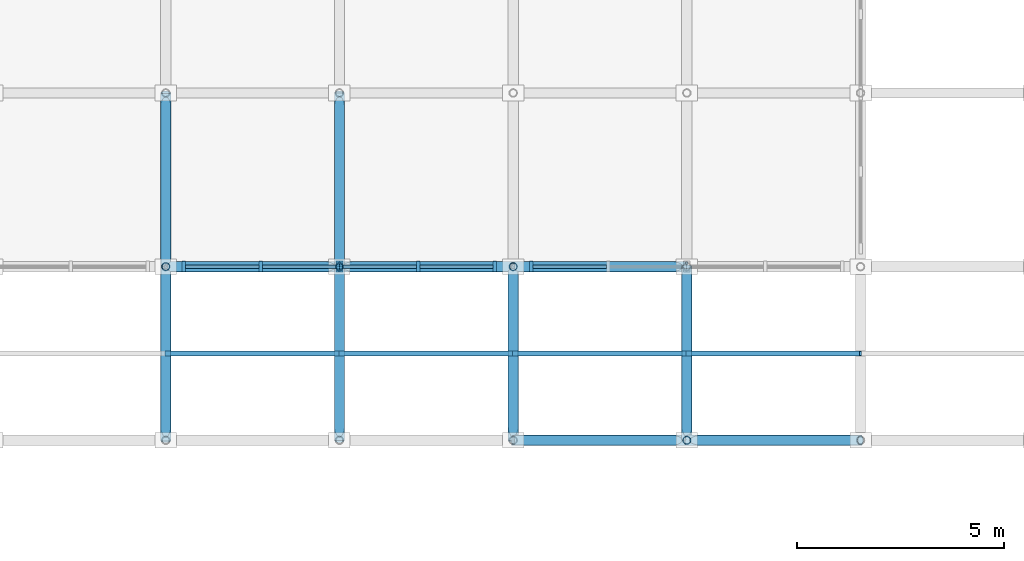
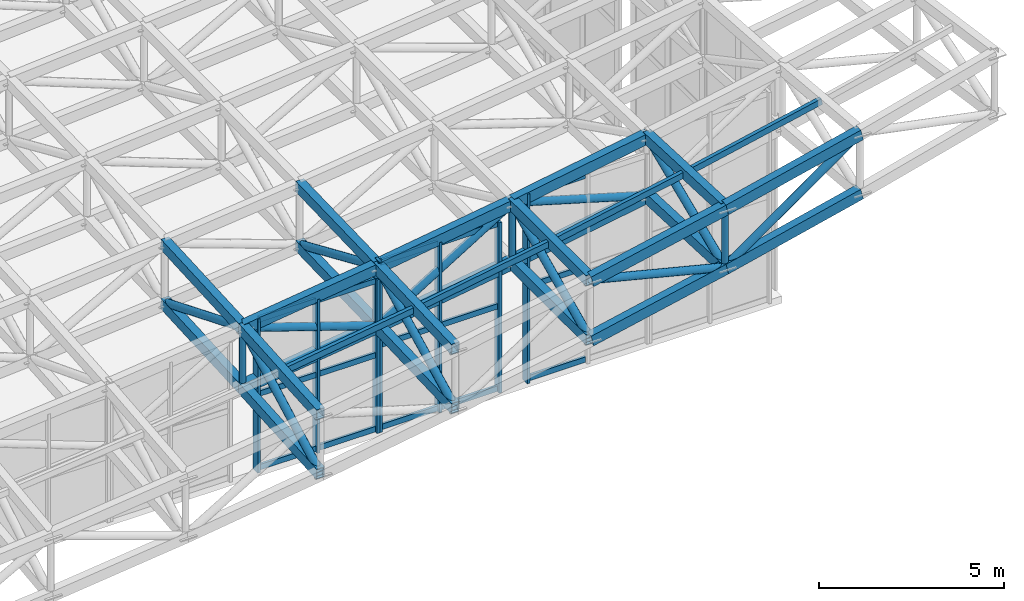
# One storey, part 46 of 111: 63 members, 3 elements without a shape of their own.
"""IFC4 building model written with IfcOpenShell, lengths in metres."""

from ifc_helpers import new_model, si_unit, direction, frame, origin, origin_2d, place, context, subcontext, project, spatial, rectangle, hollow_rectangle, hollow_circle, extrude, material, material_profile, profile_set, type_object, element, aggregate, save


model = new_model("IFC4")

# Units and contexts
model_context = context("Model", 3, precision=1e-05, world=origin(), true_north=direction((0.0, 1.0)))
body_context = subcontext(model_context, "Body", "Model", "MODEL_VIEW")
ifc_project = project(units=[si_unit("LENGTHUNIT", "METRE"), si_unit("AREAUNIT", "SQUARE_METRE"), si_unit("VOLUMEUNIT", "CUBIC_METRE"), si_unit("PLANEANGLEUNIT", "RADIAN"), si_unit("MASSUNIT", "GRAM", prefix="KILO")], contexts=[model_context])

# Site, building, storey
site_placement = place(None, origin())
site = spatial("IfcSite", under=ifc_project, at=site_placement, CompositionType="ELEMENT")
building_placement = place(site_placement, origin())
building = spatial("IfcBuilding", under=site, at=building_placement, Name="Cumbredor Promenade Congress Hotel", CompositionType="ELEMENT")
storey_placement = place(building_placement, frame((0.0, 0.0, 15.1201171875)))
storey = spatial("IfcBuildingStorey", under=building, at=storey_placement, Name="L04", CompositionType="ELEMENT", Elevation=15.1201171875)

# Curtain wall, members
ifc_material_1 = material(Name="Thermally broken anodized aluminium and low-E glass", Category="aluminium")
curtain_wall_type = type_object("IfcCurtainWallType", Name="Stepped Pavilion Clerestory Curtain Wall CW-06", PredefinedType="NOTDEFINED", material=ifc_material_1)
curtain_wall_1_placement = place(storey_placement, origin())
curtain_wall_1 = element("IfcCurtainWall", 1, at=curtain_wall_1_placement, inside=storey, type_object=curtain_wall_type, Name="Pre-Function and Breakout Meeting Forum S Glazed Clerestory 17", PredefinedType="NOTDEFINED")
ifc_material_2 = material(Name="Thermally broken anodized aluminium", Category="aluminium")
ifc_material_profile_1 = material_profile(ifc_material_2, rectangle(XDim=0.0849609375, YDim=0.260009765625, at=origin_2d()), Name="ALU MULLION CLERESTORY 85x260")
ifc_profile_set_1 = profile_set([ifc_material_profile_1], Name="Thermally broken anodized aluminium")
member_type_1 = type_object("IfcMemberType", Name="Curtain Wall Mullion ML-04", PredefinedType="MULLION", material=ifc_profile_set_1)
member_1_placement = place(storey_placement, frame((160.0400390625, 84.0, -0.01806640625), z_axis=(0.0, 0.0, 1.0), x_axis=(1.0, 0.0, 0.0)))
member_1 = element("IfcMember", 2, at=member_1_placement, type_object=member_type_1, Name="Pre-Function and Breakout Meeting Forum S Glazed Clerestory 17 Mullion 1", PredefinedType="MULLION", context=body_context, shape_type="SweptSolid", body=[
    extrude(rectangle(XDim=0.0849609375, YDim=0.260009765625, at=origin_2d()), origin(), (0.0, 0.0, 1.0), 5.064453125),
])
member_2_placement = place(storey_placement, frame((161.89990234375, 84.0, -0.01806640625), z_axis=(0.0, 0.0, 1.0), x_axis=(1.0, 0.0, 0.0)))
member_2 = element("IfcMember", 3, at=member_2_placement, type_object=member_type_1, Name="Pre-Function and Breakout Meeting Forum S Glazed Clerestory 17 Mullion 2", PredefinedType="MULLION", context=body_context, shape_type="SweptSolid", body=[
    extrude(rectangle(XDim=0.0849609375, YDim=0.260009765625, at=origin_2d()), origin(), (0.0, 0.0, 1.0), 5.064453125),
])
member_3_placement = place(storey_placement, frame((163.760009765625, 84.0, -0.01806640625), z_axis=(0.0, 0.0, 1.0), x_axis=(1.0, 0.0, 0.0)))
member_3 = element("IfcMember", 4, at=member_3_placement, type_object=member_type_1, Name="Pre-Function and Breakout Meeting Forum S Glazed Clerestory 17 Mullion 3", PredefinedType="MULLION", context=body_context, shape_type="SweptSolid", body=[
    extrude(rectangle(XDim=0.0849609375, YDim=0.260009765625, at=origin_2d()), origin(), (0.0, 0.0, 1.0), 5.064453125),
])

curtain_wall_2_placement = place(storey_placement, origin())
curtain_wall_2 = element("IfcCurtainWall", 5, at=curtain_wall_2_placement, inside=storey, type_object=curtain_wall_type, Name="Pre-Function and Breakout Meeting Forum S Glazed Clerestory 18", PredefinedType="NOTDEFINED")
member_4_placement = place(storey_placement, frame((163.840087890625, 84.0, -0.01806640625), z_axis=(0.0, 0.0, 1.0), x_axis=(1.0, 0.0, 0.0)))
member_4 = element("IfcMember", 6, at=member_4_placement, type_object=member_type_1, Name="Pre-Function and Breakout Meeting Forum S Glazed Clerestory 18 Mullion 1", PredefinedType="MULLION", context=body_context, shape_type="SweptSolid", body=[
    extrude(rectangle(XDim=0.0849609375, YDim=0.260009765625, at=origin_2d()), origin(), (0.0, 0.0, 1.0), 5.6123046875),
])
member_5_placement = place(storey_placement, frame((165.699951171875, 84.0, -0.01806640625), z_axis=(0.0, 0.0, 1.0), x_axis=(1.0, 0.0, 0.0)))
member_5 = element("IfcMember", 7, at=member_5_placement, type_object=member_type_1, Name="Pre-Function and Breakout Meeting Forum S Glazed Clerestory 18 Mullion 2", PredefinedType="MULLION", context=body_context, shape_type="SweptSolid", body=[
    extrude(rectangle(XDim=0.0849609375, YDim=0.260009765625, at=origin_2d()), origin(), (0.0, 0.0, 1.0), 5.6123046875),
])
member_6_placement = place(storey_placement, frame((167.56005859375, 84.0, -0.01806640625), z_axis=(0.0, 0.0, 1.0), x_axis=(1.0, 0.0, 0.0)))
member_6 = element("IfcMember", 8, at=member_6_placement, type_object=member_type_1, Name="Pre-Function and Breakout Meeting Forum S Glazed Clerestory 18 Mullion 3", PredefinedType="MULLION", context=body_context, shape_type="SweptSolid", body=[
    extrude(rectangle(XDim=0.0849609375, YDim=0.260009765625, at=origin_2d()), origin(), (0.0, 0.0, 1.0), 5.6123046875),
])

# Curtain wall, member
curtain_wall_3_placement = place(storey_placement, origin())
curtain_wall_3 = element("IfcCurtainWall", 9, at=curtain_wall_3_placement, inside=storey, type_object=curtain_wall_type, Name="Pre-Function and Breakout Meeting Forum S Glazed Clerestory 19", PredefinedType="NOTDEFINED")
member_7_placement = place(storey_placement, frame((168.43994140625, 84.0, -0.01806640625), z_axis=(0.0, 0.0, 1.0), x_axis=(1.0, 0.0, 0.0)))
member_7 = element("IfcMember", 10, at=member_7_placement, type_object=member_type_1, Name="Pre-Function and Breakout Meeting Forum S Glazed Clerestory 19 Mullion 1", PredefinedType="MULLION", context=body_context, shape_type="SweptSolid", body=[
    extrude(rectangle(XDim=0.0849609375, YDim=0.260009765625, at=origin_2d()), origin(), (0.0, 0.0, 1.0), 6.243896484375),
])

# Member
ifc_material_profile_2 = material_profile(ifc_material_2, rectangle(XDim=0.080078125, YDim=0.179931640625, at=origin_2d()), Name="ALU TRANSOM 80x180")
ifc_profile_set_2 = profile_set([ifc_material_profile_2], Name="Thermally broken anodized aluminium")
member_type_2 = type_object("IfcMemberType", Name="Curtain Wall Transom TR-03", PredefinedType="USERDEFINED", material=ifc_profile_set_2)
member_8_placement = place(storey_placement, frame((160.08251953125, 84.0, 0.079833984375), z_axis=(1.0, 0.0, 0.0), x_axis=(0.0, 1.0, 0.0)))
member_8 = element("IfcMember", 11, at=member_8_placement, type_object=member_type_2, Name="Pre-Function and Breakout Meeting Forum S Glazed Clerestory 17 Transom 1.1", ObjectType="TRANSOM", PredefinedType="USERDEFINED", context=body_context, shape_type="SweptSolid", body=[
    extrude(rectangle(XDim=0.080078125, YDim=0.179931640625, at=origin_2d()), origin(), (0.0, 0.0, 1.0), 1.77490234375),
])

member_9_placement = place(storey_placement, frame((160.08251953125, 84.0, 2.509765625), z_axis=(1.0, 0.0, 0.0), x_axis=(0.0, 1.0, 0.0)))
member_9 = element("IfcMember", 12, at=member_9_placement, type_object=member_type_2, Name="Pre-Function and Breakout Meeting Forum S Glazed Clerestory 17 Transom 1.2", ObjectType="TRANSOM", PredefinedType="USERDEFINED", context=body_context, shape_type="SweptSolid", body=[
    extrude(rectangle(XDim=0.080078125, YDim=0.179931640625, at=origin_2d()), origin(), (0.0, 0.0, 1.0), 1.77490234375),
])

member_10_placement = place(storey_placement, frame((160.08251953125, 84.0, 4.949951171875), z_axis=(1.0, 0.0, 0.0), x_axis=(0.0, 1.0, 0.0)))
member_10 = element("IfcMember", 13, at=member_10_placement, type_object=member_type_2, Name="Pre-Function and Breakout Meeting Forum S Glazed Clerestory 17 Transom 1.3", ObjectType="TRANSOM", PredefinedType="USERDEFINED", context=body_context, shape_type="SweptSolid", body=[
    extrude(rectangle(XDim=0.080078125, YDim=0.179931640625, at=origin_2d()), origin(), (0.0, 0.0, 1.0), 1.77490234375),
])

member_11_placement = place(storey_placement, frame((161.9423828125, 84.0, 0.079833984375), z_axis=(1.0, 0.0, 0.0), x_axis=(0.0, 1.0, 0.0)))
member_11 = element("IfcMember", 14, at=member_11_placement, type_object=member_type_2, Name="Pre-Function and Breakout Meeting Forum S Glazed Clerestory 17 Transom 2.1", ObjectType="TRANSOM", PredefinedType="USERDEFINED", context=body_context, shape_type="SweptSolid", body=[
    extrude(rectangle(XDim=0.080078125, YDim=0.179931640625, at=origin_2d()), origin(), (0.0, 0.0, 1.0), 1.775146484375),
])

member_12_placement = place(storey_placement, frame((161.9423828125, 84.0, 2.509765625), z_axis=(1.0, 0.0, 0.0), x_axis=(0.0, 1.0, 0.0)))
member_12 = element("IfcMember", 15, at=member_12_placement, type_object=member_type_2, Name="Pre-Function and Breakout Meeting Forum S Glazed Clerestory 17 Transom 2.2", ObjectType="TRANSOM", PredefinedType="USERDEFINED", context=body_context, shape_type="SweptSolid", body=[
    extrude(rectangle(XDim=0.080078125, YDim=0.179931640625, at=origin_2d()), origin(), (0.0, 0.0, 1.0), 1.775146484375),
])

member_13_placement = place(storey_placement, frame((161.9423828125, 84.0, 4.949951171875), z_axis=(1.0, 0.0, 0.0), x_axis=(0.0, 1.0, 0.0)))
member_13 = element("IfcMember", 16, at=member_13_placement, type_object=member_type_2, Name="Pre-Function and Breakout Meeting Forum S Glazed Clerestory 17 Transom 2.3", ObjectType="TRANSOM", PredefinedType="USERDEFINED", context=body_context, shape_type="SweptSolid", body=[
    extrude(rectangle(XDim=0.080078125, YDim=0.179931640625, at=origin_2d()), origin(), (0.0, 0.0, 1.0), 1.775146484375),
])

aggregate(curtain_wall_1, [member_1, member_2, member_3, member_8, member_9, member_10, member_11, member_12, member_13])

member_14_placement = place(storey_placement, frame((163.882568359375, 84.0, 0.079833984375), z_axis=(1.0, 0.0, 0.0), x_axis=(0.0, 1.0, 0.0)))
member_14 = element("IfcMember", 17, at=member_14_placement, type_object=member_type_2, Name="Pre-Function and Breakout Meeting Forum S Glazed Clerestory 18 Transom 1.1", ObjectType="TRANSOM", PredefinedType="USERDEFINED", context=body_context, shape_type="SweptSolid", body=[
    extrude(rectangle(XDim=0.080078125, YDim=0.179931640625, at=origin_2d()), origin(), (0.0, 0.0, 1.0), 1.77490234375),
])

member_15_placement = place(storey_placement, frame((163.882568359375, 84.0, 2.789794921875), z_axis=(1.0, 0.0, 0.0), x_axis=(0.0, 1.0, 0.0)))
member_15 = element("IfcMember", 18, at=member_15_placement, type_object=member_type_2, Name="Pre-Function and Breakout Meeting Forum S Glazed Clerestory 18 Transom 1.2", ObjectType="TRANSOM", PredefinedType="USERDEFINED", context=body_context, shape_type="SweptSolid", body=[
    extrude(rectangle(XDim=0.080078125, YDim=0.179931640625, at=origin_2d()), origin(), (0.0, 0.0, 1.0), 1.77490234375),
])

member_16_placement = place(storey_placement, frame((163.882568359375, 84.0, 5.5), z_axis=(1.0, 0.0, 0.0), x_axis=(0.0, 1.0, 0.0)))
member_16 = element("IfcMember", 19, at=member_16_placement, type_object=member_type_2, Name="Pre-Function and Breakout Meeting Forum S Glazed Clerestory 18 Transom 1.3", ObjectType="TRANSOM", PredefinedType="USERDEFINED", context=body_context, shape_type="SweptSolid", body=[
    extrude(rectangle(XDim=0.080078125, YDim=0.179931640625, at=origin_2d()), origin(), (0.0, 0.0, 1.0), 1.77490234375),
])

member_17_placement = place(storey_placement, frame((165.742431640625, 84.0, 0.079833984375), z_axis=(1.0, 0.0, 0.0), x_axis=(0.0, 1.0, 0.0)))
member_17 = element("IfcMember", 20, at=member_17_placement, type_object=member_type_2, Name="Pre-Function and Breakout Meeting Forum S Glazed Clerestory 18 Transom 2.1", ObjectType="TRANSOM", PredefinedType="USERDEFINED", context=body_context, shape_type="SweptSolid", body=[
    extrude(rectangle(XDim=0.080078125, YDim=0.179931640625, at=origin_2d()), origin(), (0.0, 0.0, 1.0), 1.775146484375),
])

member_18_placement = place(storey_placement, frame((165.742431640625, 84.0, 2.789794921875), z_axis=(1.0, 0.0, 0.0), x_axis=(0.0, 1.0, 0.0)))
member_18 = element("IfcMember", 21, at=member_18_placement, type_object=member_type_2, Name="Pre-Function and Breakout Meeting Forum S Glazed Clerestory 18 Transom 2.2", ObjectType="TRANSOM", PredefinedType="USERDEFINED", context=body_context, shape_type="SweptSolid", body=[
    extrude(rectangle(XDim=0.080078125, YDim=0.179931640625, at=origin_2d()), origin(), (0.0, 0.0, 1.0), 1.775146484375),
])

member_19_placement = place(storey_placement, frame((165.742431640625, 84.0, 5.5), z_axis=(1.0, 0.0, 0.0), x_axis=(0.0, 1.0, 0.0)))
member_19 = element("IfcMember", 22, at=member_19_placement, type_object=member_type_2, Name="Pre-Function and Breakout Meeting Forum S Glazed Clerestory 18 Transom 2.3", ObjectType="TRANSOM", PredefinedType="USERDEFINED", context=body_context, shape_type="SweptSolid", body=[
    extrude(rectangle(XDim=0.080078125, YDim=0.179931640625, at=origin_2d()), origin(), (0.0, 0.0, 1.0), 1.775146484375),
])

aggregate(curtain_wall_2, [member_4, member_5, member_6, member_14, member_15, member_16, member_17, member_18, member_19])

member_20_placement = place(storey_placement, frame((168.482421875, 84.0, 0.079833984375), z_axis=(1.0, 0.0, 0.0), x_axis=(0.0, 1.0, 0.0)))
member_20 = element("IfcMember", 23, at=member_20_placement, type_object=member_type_2, Name="Pre-Function and Breakout Meeting Forum S Glazed Clerestory 19 Transom 1.1", ObjectType="TRANSOM", PredefinedType="USERDEFINED", context=body_context, shape_type="SweptSolid", body=[
    extrude(rectangle(XDim=0.080078125, YDim=0.179931640625, at=origin_2d()), origin(), (0.0, 0.0, 1.0), 1.775146484375),
])

member_21_placement = place(storey_placement, frame((168.482421875, 84.0, 3.10986328125), z_axis=(1.0, 0.0, 0.0), x_axis=(0.0, 1.0, 0.0)))
member_21 = element("IfcMember", 24, at=member_21_placement, type_object=member_type_2, Name="Pre-Function and Breakout Meeting Forum S Glazed Clerestory 19 Transom 1.2", ObjectType="TRANSOM", PredefinedType="USERDEFINED", context=body_context, shape_type="SweptSolid", body=[
    extrude(rectangle(XDim=0.080078125, YDim=0.179931640625, at=origin_2d()), origin(), (0.0, 0.0, 1.0), 1.775146484375),
])

member_22_placement = place(storey_placement, frame((168.482421875, 84.0, 6.1298828125), z_axis=(1.0, 0.0, 0.0), x_axis=(0.0, 1.0, 0.0)))
member_22 = element("IfcMember", 25, at=member_22_placement, type_object=member_type_2, Name="Pre-Function and Breakout Meeting Forum S Glazed Clerestory 19 Transom 1.3", ObjectType="TRANSOM", PredefinedType="USERDEFINED", context=body_context, shape_type="SweptSolid", body=[
    extrude(rectangle(XDim=0.080078125, YDim=0.179931640625, at=origin_2d()), origin(), (0.0, 0.0, 1.0), 1.775146484375),
])

aggregate(curtain_wall_3, [member_7, member_20, member_21, member_22])

# Members
ifc_material_3 = material(Name="Steel ASTM A500 Grade C", Category="steel")
ifc_material_profile_3 = material_profile(ifc_material_3, hollow_rectangle(XDim=0.25, YDim=0.35009765625, WallThickness=0.01611328125, at=origin_2d()), Name="HSS 350x250x16")
ifc_profile_set_3 = profile_set([ifc_material_profile_3], Name="Steel ASTM A500 Grade C")
member_type_3 = type_object("IfcMemberType", Name="Forum Roof Truss Chord", PredefinedType="CHORD", material=ifc_profile_set_3)
member_23_placement = place(storey_placement, frame((168.0, 79.800048828125, 6.0263671875), z_axis=(0.977922876624, 0.0, 0.208966139305), x_axis=(0.0, 1.0, 0.0)))
element("IfcMember", 26, at=member_23_placement, inside=storey, type_object=member_type_3, Name="Pre-Function and Breakout Meeting Forum X Top Chord 20.1", PredefinedType="CHORD", context=body_context, shape_type="SweptSolid", body=[
    extrude(hollow_rectangle(XDim=0.25, YDim=0.35009765625, WallThickness=0.01611328125, at=origin_2d()), origin(), (0.0, 0.0, 1.0), 4.294677734375),
])
member_24_placement = place(storey_placement, frame((168.0, 79.800048828125, 4.076171875), z_axis=(0.9779112586, 0.0, 0.209020502114), x_axis=(0.0, 1.0, 0.0)))
element("IfcMember", 27, at=member_24_placement, inside=storey, type_object=member_type_3, Name="Pre-Function and Breakout Meeting Forum X Bottom Chord 20.1", PredefinedType="CHORD", context=body_context, shape_type="SweptSolid", body=[
    extrude(hollow_rectangle(XDim=0.25, YDim=0.35009765625, WallThickness=0.01611328125, at=origin_2d()), origin(), (0.0, 0.0, 1.0), 4.294921875),
])
for number, where, z_axis, x_axis, name in (
    (28, (172.199951171875, 79.800048828125, 6.923828125), (0.972665290628, 0.0, 0.232211611266), (0.0, 1.0, 0.0), "Pre-Function and Breakout Meeting Forum X Top Chord 21.1"),
    (29, (172.199951171875, 79.800048828125, 4.973876953125), (0.972665290628, 0.0, 0.232211611266), (0.0, 1.0, 0.0), "Pre-Function and Breakout Meeting Forum X Bottom Chord 21.1"),
):
    element("IfcMember", number, at=place(storey_placement, frame(where, z_axis=z_axis, x_axis=x_axis)), inside=storey, type_object=member_type_3, Name=name, PredefinedType="CHORD", context=body_context, shape_type="SweptSolid", body=[
        extrude(hollow_rectangle(XDim=0.25, YDim=0.35009765625, WallThickness=0.01611328125, at=origin_2d()), origin(), (0.0, 0.0, 1.0), 4.31787109375),
    ])
for number, where, z_axis, x_axis, name in (
    (30, (159.60009765625, 84.0, 4.845458984375), (0.991606838382, 0.0, 0.129289899348), (0.0, 1.0, 0.0), "Pre-Function and Breakout Meeting Forum X Top Chord 18.2"),
    (31, (159.60009765625, 84.0, 2.895263671875), (0.991599446903, 0.0, 0.129346576693), (0.0, 1.0, 0.0), "Pre-Function and Breakout Meeting Forum X Bottom Chord 18.2"),
):
    element("IfcMember", number, at=place(storey_placement, frame(where, z_axis=z_axis, x_axis=x_axis)), inside=storey, type_object=member_type_3, Name=name, PredefinedType="CHORD", context=body_context, shape_type="SweptSolid", body=[
        extrude(hollow_rectangle(XDim=0.25, YDim=0.35009765625, WallThickness=0.01611328125, at=origin_2d()), origin(), (0.0, 0.0, 1.0), 4.235595703125),
    ])
member_25_placement = place(storey_placement, frame((163.800048828125, 84.0, 5.39306640625), z_axis=(0.988872595274, 0.0, 0.14876488267), x_axis=(0.0, 1.0, 0.0)))
element("IfcMember", 32, at=member_25_placement, inside=storey, type_object=member_type_3, Name="Pre-Function and Breakout Meeting Forum X Top Chord 19.2", PredefinedType="CHORD", context=body_context, shape_type="SweptSolid", body=[
    extrude(hollow_rectangle(XDim=0.25, YDim=0.35009765625, WallThickness=0.01611328125, at=origin_2d()), origin(), (0.0, 0.0, 1.0), 4.247314453125),
])
member_26_placement = place(storey_placement, frame((163.800048828125, 84.0, 3.443115234375), z_axis=(0.988881049981, 0.0, 0.148708671528), x_axis=(0.0, 1.0, 0.0)))
element("IfcMember", 33, at=member_26_placement, inside=storey, type_object=member_type_3, Name="Pre-Function and Breakout Meeting Forum X Bottom Chord 19.2", PredefinedType="CHORD", context=body_context, shape_type="SweptSolid", body=[
    extrude(hollow_rectangle(XDim=0.25, YDim=0.35009765625, WallThickness=0.01611328125, at=origin_2d()), origin(), (0.0, 0.0, 1.0), 4.2470703125),
])
for number, where, z_axis, x_axis, name in (
    (34, (168.0, 84.0, 6.02490234375), (0.985803819477, 0.0, 0.167901249263), (0.0, 1.0, 0.0), "Pre-Function and Breakout Meeting Forum X Top Chord 20.2"),
    (35, (168.0, 84.0, 4.07470703125), (0.98579433314, 0.0, 0.167956937187), (0.0, 1.0, 0.0), "Pre-Function and Breakout Meeting Forum X Bottom Chord 20.2"),
):
    element("IfcMember", number, at=place(storey_placement, frame(where, z_axis=z_axis, x_axis=x_axis)), inside=storey, type_object=member_type_3, Name=name, PredefinedType="CHORD", context=body_context, shape_type="SweptSolid", body=[
        extrude(hollow_rectangle(XDim=0.25, YDim=0.35009765625, WallThickness=0.01611328125, at=origin_2d()), origin(), (0.0, 0.0, 1.0), 4.260498046875),
    ])
for number, where, z_axis, x_axis, name in (
    (36, (159.60009765625, 79.800048828125, 4.546875), (0.0, 0.997482484736, 0.070913275524), (-1.0, 0.0, 0.0), "Pre-Function and Breakout Meeting Forum Y Top Chord 18.1"),
    (37, (159.60009765625, 79.800048828125, 2.596923828125), (0.0, 0.997486584501, 0.070855583692), (-1.0, 0.0, 0.0), "Pre-Function and Breakout Meeting Forum Y Bottom Chord 18.1"),
):
    element("IfcMember", number, at=place(storey_placement, frame(where, z_axis=z_axis, x_axis=x_axis)), inside=storey, type_object=member_type_3, Name=name, PredefinedType="CHORD", context=body_context, shape_type="SweptSolid", body=[
        extrude(hollow_rectangle(XDim=0.25, YDim=0.35009765625, WallThickness=0.01611328125, at=origin_2d()), origin(), (0.0, 0.0, 1.0), 4.21044921875),
    ])
for number, where, z_axis, x_axis, name in (
    (38, (159.60009765625, 84.0, 4.845458984375), (0.0, 0.998456243046, 0.055543953066), (-1.0, 0.0, 0.0), "Pre-Function and Breakout Meeting Forum Y Top Chord 18.2"),
    (39, (159.60009765625, 84.0, 2.895263671875), (0.0, 0.998456243046, 0.055543953066), (-1.0, 0.0, 0.0), "Pre-Function and Breakout Meeting Forum Y Bottom Chord 18.2"),
):
    element("IfcMember", number, at=place(storey_placement, frame(where, z_axis=z_axis, x_axis=x_axis)), inside=storey, type_object=member_type_3, Name=name, PredefinedType="CHORD", context=body_context, shape_type="SweptSolid", body=[
        extrude(hollow_rectangle(XDim=0.25, YDim=0.35009765625, WallThickness=0.01611328125, at=origin_2d()), origin(), (0.0, 0.0, 1.0), 4.20654296875),
    ])
for number, where, z_axis, x_axis, name in (
    (40, (163.800048828125, 79.800048828125, 5.23388671875), (0.0, 0.999282553953, 0.037873174747), (-1.0, 0.0, 0.0), "Pre-Function and Breakout Meeting Forum Y Top Chord 19.1"),
    (41, (163.800048828125, 79.800048828125, 3.283935546875), (0.0, 0.999282553953, 0.037873174747), (-1.0, 0.0, 0.0), "Pre-Function and Breakout Meeting Forum Y Bottom Chord 19.1"),
):
    element("IfcMember", number, at=place(storey_placement, frame(where, z_axis=z_axis, x_axis=x_axis)), inside=storey, type_object=member_type_3, Name=name, PredefinedType="CHORD", context=body_context, shape_type="SweptSolid", body=[
        extrude(hollow_rectangle(XDim=0.25, YDim=0.35009765625, WallThickness=0.01611328125, at=origin_2d()), origin(), (0.0, 0.0, 1.0), 4.202880859375),
    ])
for number, where, z_axis, x_axis, name in (
    (42, (163.800048828125, 84.0, 5.39306640625), (0.0, 0.999552199791, 0.029923233325), (-1.0, 0.0, 0.0), "Pre-Function and Breakout Meeting Forum Y Top Chord 19.2"),
    (43, (163.800048828125, 84.0, 3.443115234375), (0.0, 0.99955393597, 0.029865181834), (-1.0, 0.0, 0.0), "Pre-Function and Breakout Meeting Forum Y Bottom Chord 19.2"),
):
    element("IfcMember", number, at=place(storey_placement, frame(where, z_axis=z_axis, x_axis=x_axis)), inside=storey, type_object=member_type_3, Name=name, PredefinedType="CHORD", context=body_context, shape_type="SweptSolid", body=[
        extrude(hollow_rectangle(XDim=0.25, YDim=0.35009765625, WallThickness=0.01611328125, at=origin_2d()), origin(), (0.0, 0.0, 1.0), 4.201904296875),
    ])
for number, where, z_axis, x_axis, name in (
    (44, (168.0, 79.800048828125, 6.0263671875), (0.0, 0.999999939178, -0.000348776355), (-1.0, 0.0, 0.0), "Pre-Function and Breakout Meeting Forum Y Top Chord 20.1"),
    (45, (168.0, 79.800048828125, 4.076171875), (0.0, 0.999999939178, -0.000348776355), (-1.0, 0.0, 0.0), "Pre-Function and Breakout Meeting Forum Y Bottom Chord 20.1"),
):
    element("IfcMember", number, at=place(storey_placement, frame(where, z_axis=z_axis, x_axis=x_axis)), inside=storey, type_object=member_type_3, Name=name, PredefinedType="CHORD", context=body_context, shape_type="SweptSolid", body=[
        extrude(hollow_rectangle(XDim=0.25, YDim=0.35009765625, WallThickness=0.01611328125, at=origin_2d()), origin(), (0.0, 0.0, 1.0), 4.199951171875),
    ])
for number, where, z_axis, x_axis, name in (
    (46, (172.199951171875, 79.800048828125, 6.923828125), (0.0, 0.99904594053, -0.043671600725), (-1.0, 0.0, 0.0), "Pre-Function and Breakout Meeting Forum Y Top Chord 21.1"),
    (47, (172.199951171875, 79.800048828125, 4.973876953125), (0.0, 0.99904594053, -0.043671600725), (-1.0, 0.0, 0.0), "Pre-Function and Breakout Meeting Forum Y Bottom Chord 21.1"),
):
    element("IfcMember", number, at=place(storey_placement, frame(where, z_axis=z_axis, x_axis=x_axis)), inside=storey, type_object=member_type_3, Name=name, PredefinedType="CHORD", context=body_context, shape_type="SweptSolid", body=[
        extrude(hollow_rectangle(XDim=0.25, YDim=0.35009765625, WallThickness=0.01611328125, at=origin_2d()), origin(), (0.0, 0.0, 1.0), 4.203857421875),
    ])
ifc_material_profile_4 = material_profile(ifc_material_3, hollow_rectangle(XDim=0.1201171875, YDim=0.199951171875, WallThickness=0.010009765625, at=origin_2d()), Name="HSS 200x120x10")
ifc_profile_set_4 = profile_set([ifc_material_profile_4], Name="Steel ASTM A500 Grade C")
member_type_4 = type_object("IfcMemberType", Name="Roof Purlin HSS200x120", PredefinedType="PURLIN", material=ifc_profile_set_4)
member_27_placement = place(storey_placement, frame((159.60009765625, 81.89990234375, 4.67626953125), z_axis=(0.989366195277, 0.0, 0.145445974996), x_axis=(0.0, 1.0, 0.0)))
element("IfcMember", 48, at=member_27_placement, inside=storey, type_object=member_type_4, Name="Pre-Function and Breakout Meeting Forum Roof Eave Purlin 18.1", PredefinedType="PURLIN", context=body_context, shape_type="SweptSolid", body=[
    extrude(hollow_rectangle(XDim=0.1201171875, YDim=0.199951171875, WallThickness=0.010009765625, at=origin_2d()), origin(), (0.0, 0.0, 1.0), 4.2451171875),
])
member_28_placement = place(storey_placement, frame((163.800048828125, 81.89990234375, 5.293701171875), z_axis=(0.985936316925, 0.0, 0.167121449756), x_axis=(0.0, 1.0, 0.0)))
element("IfcMember", 49, at=member_28_placement, inside=storey, type_object=member_type_4, Name="Pre-Function and Breakout Meeting Forum Roof Eave Purlin 19.1", PredefinedType="PURLIN", context=body_context, shape_type="SweptSolid", body=[
    extrude(hollow_rectangle(XDim=0.1201171875, YDim=0.199951171875, WallThickness=0.010009765625, at=origin_2d()), origin(), (0.0, 0.0, 1.0), 4.259765625),
])
member_29_placement = place(storey_placement, frame((168.0, 81.89990234375, 6.005615234375), z_axis=(0.982062187843, 0.0, 0.188557310146), x_axis=(0.0, 1.0, 0.0)))
element("IfcMember", 50, at=member_29_placement, inside=storey, type_object=member_type_4, Name="Pre-Function and Breakout Meeting Forum Roof Eave Purlin 20.1", PredefinedType="PURLIN", context=body_context, shape_type="SweptSolid", body=[
    extrude(hollow_rectangle(XDim=0.1201171875, YDim=0.199951171875, WallThickness=0.010009765625, at=origin_2d()), origin(), (0.0, 0.0, 1.0), 4.276611328125),
])
member_30_placement = place(storey_placement, frame((172.199951171875, 81.89990234375, 6.81201171875), z_axis=(0.97775997453, 0.0, 0.209727042145), x_axis=(0.0, 1.0, 0.0)))
element("IfcMember", 51, at=member_30_placement, inside=storey, type_object=member_type_4, Name="Pre-Function and Breakout Meeting Forum Roof Eave Purlin 21.1", PredefinedType="PURLIN", context=body_context, shape_type="SweptSolid", body=[
    extrude(hollow_rectangle(XDim=0.1201171875, YDim=0.199951171875, WallThickness=0.010009765625, at=origin_2d()), origin(), (0.0, 0.0, 1.0), 4.29541015625),
])
ifc_material_profile_5 = material_profile(ifc_material_3, hollow_circle(Radius=0.122314453125, WallThickness=0.012451171875, at=origin_2d()), Name="CHS 244.5x12.5")
ifc_profile_set_5 = profile_set([ifc_material_profile_5], Name="Steel ASTM A500 Grade C")
member_type_5 = type_object("IfcMemberType", Name="Space Frame Web Diagonal D2", PredefinedType="BRACE", material=ifc_profile_set_5)
member_31_placement = place(storey_placement, frame((168.0, 79.800048828125, 6.0263671875), z_axis=(0.970006358163, 0.0, -0.243079544849), x_axis=(0.0, 1.0, 0.0)))
element("IfcMember", 52, at=member_31_placement, inside=storey, type_object=member_type_5, Name="Pre-Function and Breakout Meeting Forum X Web Diagonal 20.1", PredefinedType="BRACE", context=body_context, shape_type="SweptSolid", body=[
    extrude(hollow_circle(Radius=0.122314453125, WallThickness=0.012451171875, at=origin_2d()), origin(), (0.0, 0.0, 1.0), 4.329833984375),
])
member_32_placement = place(storey_placement, frame((172.199951171875, 79.800048828125, 4.973876953125), z_axis=(0.818070759163, 0.0, 0.575117581893), x_axis=(0.0, 1.0, 0.0)))
element("IfcMember", 53, at=member_32_placement, inside=storey, type_object=member_type_5, Name="Pre-Function and Breakout Meeting Forum X Web Diagonal 21.1", PredefinedType="BRACE", context=body_context, shape_type="SweptSolid", body=[
    extrude(hollow_circle(Radius=0.122314453125, WallThickness=0.012451171875, at=origin_2d()), origin(), (0.0, 0.0, 1.0), 5.134033203125),
])
member_33_placement = place(storey_placement, frame((159.60009765625, 84.0, 4.845458984375), z_axis=(0.948523279227, 0.0, -0.316707418234), x_axis=(0.0, 1.0, 0.0)))
element("IfcMember", 54, at=member_33_placement, inside=storey, type_object=member_type_5, Name="Pre-Function and Breakout Meeting Forum X Web Diagonal 18.2", PredefinedType="BRACE", context=body_context, shape_type="SweptSolid", body=[
    extrude(hollow_circle(Radius=0.122314453125, WallThickness=0.012451171875, at=origin_2d()), origin(), (0.0, 0.0, 1.0), 4.427978515625),
])
member_34_placement = place(storey_placement, frame((163.800048828125, 84.0, 3.443115234375), z_axis=(0.851911561222, 0.0, 0.5236856804), x_axis=(0.0, 1.0, 0.0)))
element("IfcMember", 55, at=member_34_placement, inside=storey, type_object=member_type_5, Name="Pre-Function and Breakout Meeting Forum X Web Diagonal 19.2", PredefinedType="BRACE", context=body_context, shape_type="SweptSolid", body=[
    extrude(hollow_circle(Radius=0.122314453125, WallThickness=0.012451171875, at=origin_2d()), origin(), (0.0, 0.0, 1.0), 4.929931640625),
])
member_35_placement = place(storey_placement, frame((168.0, 84.0, 6.02490234375), z_axis=(0.959406341943, 0.0, -0.282027429588), x_axis=(0.0, 1.0, 0.0)))
element("IfcMember", 56, at=member_35_placement, inside=storey, type_object=member_type_5, Name="Pre-Function and Breakout Meeting Forum X Web Diagonal 20.2", PredefinedType="BRACE", context=body_context, shape_type="SweptSolid", body=[
    extrude(hollow_circle(Radius=0.122314453125, WallThickness=0.012451171875, at=origin_2d()), origin(), (0.0, 0.0, 1.0), 4.377685546875),
])
member_36_placement = place(storey_placement, frame((159.60009765625, 79.800048828125, 2.596923828125), z_axis=(0.0, 0.881605644277, 0.471986745555), x_axis=(-1.0, 0.0, 0.0)))
element("IfcMember", 57, at=member_36_placement, inside=storey, type_object=member_type_5, Name="Pre-Function and Breakout Meeting Forum Y Web Diagonal 18.1", PredefinedType="BRACE", context=body_context, shape_type="SweptSolid", body=[
    extrude(hollow_circle(Radius=0.122314453125, WallThickness=0.012451171875, at=origin_2d()), origin(), (0.0, 0.0, 1.0), 4.763916015625),
])
member_37_placement = place(storey_placement, frame((159.60009765625, 84.0, 4.845458984375), z_axis=(0.0, 0.925671190173, -0.37832902041), x_axis=(-1.0, 0.0, 0.0)))
element("IfcMember", 58, at=member_37_placement, inside=storey, type_object=member_type_5, Name="Pre-Function and Breakout Meeting Forum Y Web Diagonal 18.2", PredefinedType="BRACE", context=body_context, shape_type="SweptSolid", body=[
    extrude(hollow_circle(Radius=0.122314453125, WallThickness=0.012451171875, at=origin_2d()), origin(), (0.0, 0.0, 1.0), 4.537109375),
])
member_38_placement = place(storey_placement, frame((163.800048828125, 79.800048828125, 3.283935546875), z_axis=(0.0, 0.89364662626, 0.448771330829), x_axis=(-1.0, 0.0, 0.0)))
element("IfcMember", 59, at=member_38_placement, inside=storey, type_object=member_type_5, Name="Pre-Function and Breakout Meeting Forum Y Web Diagonal 19.1", PredefinedType="BRACE", context=body_context, shape_type="SweptSolid", body=[
    extrude(hollow_circle(Radius=0.122314453125, WallThickness=0.012451171875, at=origin_2d()), origin(), (0.0, 0.0, 1.0), 4.69970703125),
])
member_39_placement = place(storey_placement, frame((163.800048828125, 84.0, 5.39306640625), z_axis=(0.0, 0.917198001708, -0.398431707653), x_axis=(-1.0, 0.0, 0.0)))
element("IfcMember", 60, at=member_39_placement, inside=storey, type_object=member_type_5, Name="Pre-Function and Breakout Meeting Forum Y Web Diagonal 19.2", PredefinedType="BRACE", context=body_context, shape_type="SweptSolid", body=[
    extrude(hollow_circle(Radius=0.122314453125, WallThickness=0.012451171875, at=origin_2d()), origin(), (0.0, 0.0, 1.0), 4.5791015625),
])
member_40_placement = place(storey_placement, frame((168.0, 79.800048828125, 4.076171875), z_axis=(0.0, 0.907111799886, 0.420889751014), x_axis=(-1.0, 0.0, 0.0)))
element("IfcMember", 61, at=member_40_placement, inside=storey, type_object=member_type_5, Name="Pre-Function and Breakout Meeting Forum Y Web Diagonal 20.1", PredefinedType="BRACE", context=body_context, shape_type="SweptSolid", body=[
    extrude(hollow_circle(Radius=0.122314453125, WallThickness=0.012451171875, at=origin_2d()), origin(), (0.0, 0.0, 1.0), 4.630126953125),
])
member_41_placement = place(storey_placement, frame((172.199951171875, 79.800048828125, 4.973876953125), z_axis=(0.0, 0.921795668475, 0.387676083324), x_axis=(-1.0, 0.0, 0.0)))
element("IfcMember", 62, at=member_41_placement, inside=storey, type_object=member_type_5, Name="Pre-Function and Breakout Meeting Forum Y Web Diagonal 21.1", PredefinedType="BRACE", context=body_context, shape_type="SweptSolid", body=[
    extrude(hollow_circle(Radius=0.122314453125, WallThickness=0.012451171875, at=origin_2d()), origin(), (0.0, 0.0, 1.0), 4.55615234375),
])
ifc_material_profile_6 = material_profile(ifc_material_3, hollow_circle(Radius=0.096923828125, WallThickness=0.010009765625, at=origin_2d()), Name="CHS 193.7x10")
ifc_profile_set_6 = profile_set([ifc_material_profile_6], Name="Steel ASTM A500 Grade C")
member_type_6 = type_object("IfcMemberType", Name="Space Frame Web Post P1", PredefinedType="BRACE", material=ifc_profile_set_6)
member_42_placement = place(storey_placement, frame((159.60009765625, 84.0, 2.895263671875), z_axis=(0.0, 0.0, 1.0), x_axis=(1.0, 0.0, 0.0)))
element("IfcMember", 63, at=member_42_placement, inside=storey, type_object=member_type_6, Name="Pre-Function and Breakout Meeting Forum Space Frame Web Post 18.2", PredefinedType="BRACE", context=body_context, shape_type="SweptSolid", body=[
    extrude(hollow_circle(Radius=0.096923828125, WallThickness=0.010009765625, at=origin_2d()), origin(), (0.0, 0.0, 1.0), 1.9501953125),
])
member_43_placement = place(storey_placement, frame((163.800048828125, 84.0, 3.443115234375), z_axis=(0.0, 0.0, 1.0), x_axis=(1.0, 0.0, 0.0)))
element("IfcMember", 64, at=member_43_placement, inside=storey, type_object=member_type_6, Name="Pre-Function and Breakout Meeting Forum Space Frame Web Post 19.2", PredefinedType="BRACE", context=body_context, shape_type="SweptSolid", body=[
    extrude(hollow_circle(Radius=0.096923828125, WallThickness=0.010009765625, at=origin_2d()), origin(), (0.0, 0.0, 1.0), 1.949951171875),
])
member_44_placement = place(storey_placement, frame((168.0, 84.0, 4.07470703125), z_axis=(0.0, 0.0, 1.0), x_axis=(1.0, 0.0, 0.0)))
element("IfcMember", 65, at=member_44_placement, inside=storey, type_object=member_type_6, Name="Pre-Function and Breakout Meeting Forum Space Frame Web Post 20.2", PredefinedType="BRACE", context=body_context, shape_type="SweptSolid", body=[
    extrude(hollow_circle(Radius=0.096923828125, WallThickness=0.010009765625, at=origin_2d()), origin(), (0.0, 0.0, 1.0), 1.9501953125),
])
member_45_placement = place(storey_placement, frame((172.199951171875, 79.800048828125, 4.973876953125), z_axis=(0.0, 0.0, 1.0), x_axis=(1.0, 0.0, 0.0)))
element("IfcMember", 66, at=member_45_placement, inside=storey, type_object=member_type_6, Name="Pre-Function and Breakout Meeting Forum Space Frame Web Post 21.1", PredefinedType="BRACE", context=body_context, shape_type="SweptSolid", body=[
    extrude(hollow_circle(Radius=0.096923828125, WallThickness=0.010009765625, at=origin_2d()), origin(), (0.0, 0.0, 1.0), 1.949951171875),
])

save(model, "model.ifc")
